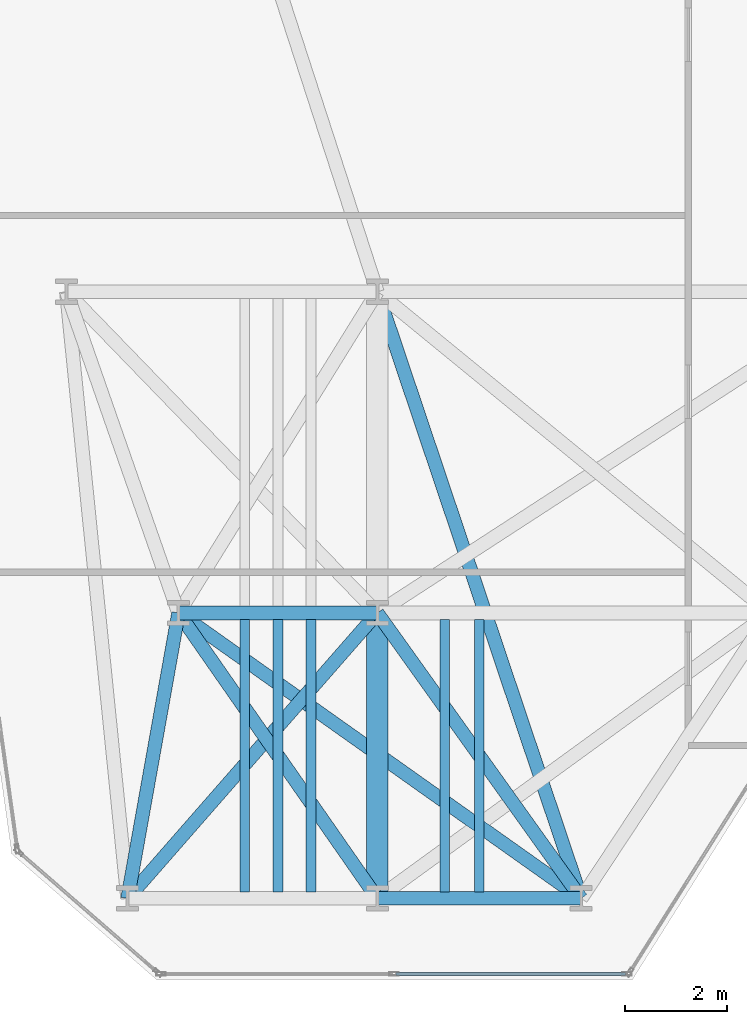
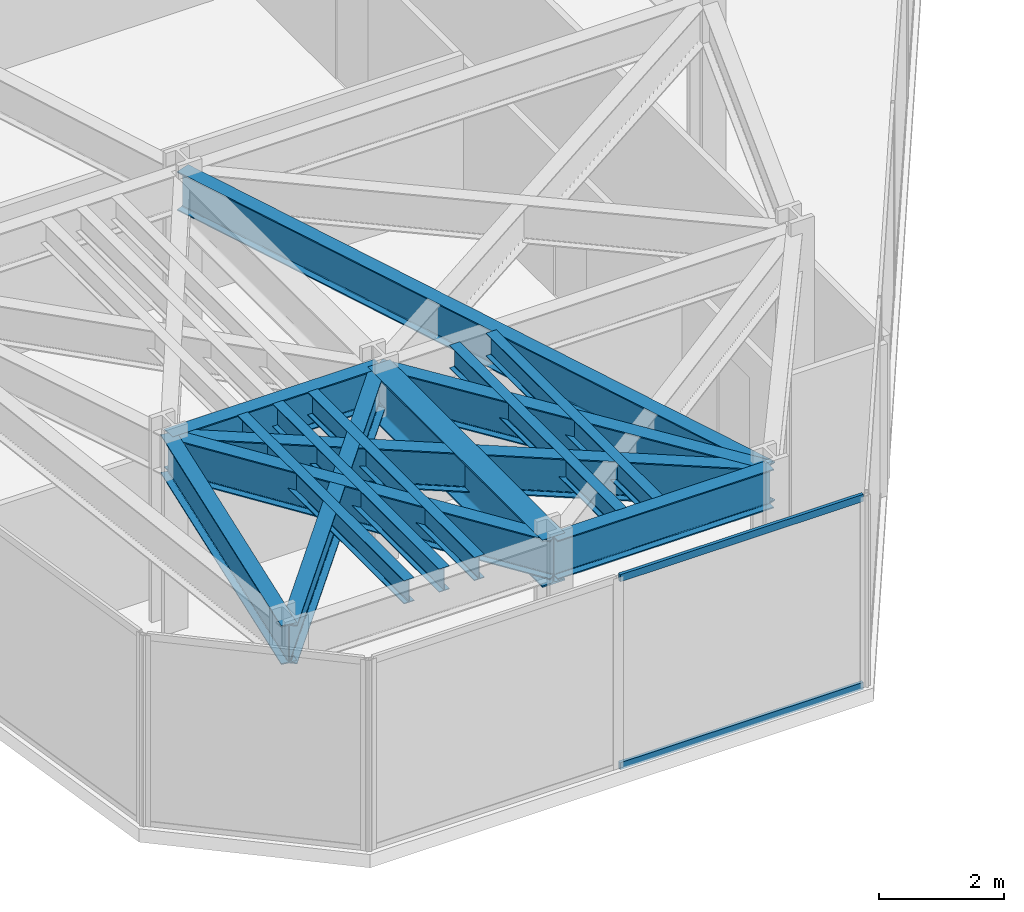
# One storey, part 3 of 25: 14 beams, 2 members, 1 element without a shape of its own.
"""IFC4 building model written with IfcOpenShell, lengths in metres."""

import ifcopenshell
import ifcopenshell.guid

model = None  # the IFC model being written
_history = None  # IfcOwnerHistory: only IFC2X3 demands one
_inside = {}  # id of a spatial element -> (the spatial element, [elements in it])
_under = {}  # id of a project, library or spatial element -> (it, [spatial elements below it])
_declared = {}  # id of a project -> (the project, [libraries it declares])
_typed = {}  # id of a type object -> (the type object, [elements of that type])
_made_of = {}  # id of a material, layer set ... -> (it, [elements and type objects made of it])


def new_model(schema):
    """Start an empty IFC model of exactly this schema.

    Asked for "IFC4X3", IfcOpenShell would pick the latest addendum, in which some entities
    have other attributes; the version numbers below select the first issue.
    IFC2X3 requires an IfcOwnerHistory on every rooted entity: one is made here for all.
    """
    global model, _history
    if schema == "IFC4X3":
        model = ifcopenshell.file(schema_version=(4, 3, 0, 0))
    else:
        model = ifcopenshell.file(schema=schema)
    _inside.clear()
    _under.clear()
    _declared.clear()
    _typed.clear()
    _made_of.clear()
    _history = None
    if model.schema == "IFC2X3":
        org = make("IfcOrganization", Name="unknown")
        user = make(
            "IfcPersonAndOrganization",
            ThePerson=make("IfcPerson", FamilyName="unknown"),
            TheOrganization=org,
        )
        app = make(
            "IfcApplication",
            ApplicationDeveloper=org,
            Version="unknown",
            ApplicationFullName="unknown",
            ApplicationIdentifier="unknown",
        )
        _history = make(
            "IfcOwnerHistory",
            OwningUser=user,
            OwningApplication=app,
            ChangeAction="ADDED",
            CreationDate=0,
        )
    return model


def make(cls, **values):
    """One entity of the class cls with the attributes given. An attribute that is None is left unset."""
    return model.create_entity(
        cls, **{name: value for name, value in values.items() if value is not None}
    )


def rooted(cls, **values):
    """An entity with a GlobalId (a new one), such as an element, a storey or a relation."""
    return make(cls, GlobalId=ifcopenshell.guid.new(), OwnerHistory=_history, **values)


def si_unit(unit_type, name, prefix=None):
    """IfcSIUnit, for example si_unit("LENGTHUNIT", "METRE", prefix="MILLI")."""
    return make("IfcSIUnit", UnitType=unit_type, Prefix=prefix, Name=name)


def assignment(units):
    """IfcUnitAssignment: the units of a project."""
    return None if units is None else make("IfcUnitAssignment", Units=units)


def point(xyz):
    """IfcCartesianPoint."""
    return None if xyz is None else make("IfcCartesianPoint", Coordinates=xyz)


def direction(xyz):
    """IfcDirection."""
    return None if xyz is None else make("IfcDirection", DirectionRatios=xyz)


def frame(location, z_axis=None, x_axis=None):
    """IfcAxis2Placement3D, a coordinate frame: its origin and axes. An axis left out is left unset."""
    return make(
        "IfcAxis2Placement3D",
        Location=point(location),
        Axis=direction(z_axis),
        RefDirection=direction(x_axis),
    )


def frame_2d(location, x_axis=None):
    """IfcAxis2Placement2D, a coordinate frame in the plane: its origin and x axis."""
    return make(
        "IfcAxis2Placement2D", Location=point(location), RefDirection=direction(x_axis)
    )


def origin():
    """The frame at (0, 0, 0) with its axes left unset."""
    return frame((0.0, 0.0, 0.0))


def origin_2d():
    """The frame at (0, 0) in the plane with its x axis left unset."""
    return frame_2d((0.0, 0.0))


def place(relative_to, where):
    """IfcLocalPlacement: puts the frame where relative to a parent placement (None: the world)."""
    return make(
        "IfcLocalPlacement", PlacementRelTo=relative_to, RelativePlacement=where
    )


def context(
    kind, dimensions, precision=None, world=None, true_north=None, identifier=None
):
    """IfcGeometricRepresentationContext, for example the 3D "Model" context."""
    return make(
        "IfcGeometricRepresentationContext",
        ContextIdentifier=identifier,
        ContextType=kind,
        CoordinateSpaceDimension=dimensions,
        Precision=precision,
        WorldCoordinateSystem=world,
        TrueNorth=true_north,
    )


def subcontext(parent, identifier, kind, view, scale=None):
    """IfcGeometricRepresentationSubContext, for example "Body" below "Model"."""
    return make(
        "IfcGeometricRepresentationSubContext",
        ContextIdentifier=identifier,
        ContextType=kind,
        ParentContext=parent,
        TargetScale=scale,
        TargetView=view,
    )


def project(units=None, contexts=None):
    """IfcProject with its units and contexts."""
    return rooted(
        "IfcProject",
        Name="project",
        RepresentationContexts=contexts,
        UnitsInContext=assignment(units),
    )


def spatial(cls, under=None, at=None, **own):
    """A site, building, storey or space (cls), placed at a placement, below another one or the project."""
    s = rooted(cls, ObjectPlacement=at, **own)
    if under is not None:
        _under.setdefault(under.id(), (under, []))[1].append(s)
    return s


def profile(cls, at=None, kind="AREA", **sizes):
    """A parametric profile (cls). Its sizes go by their IFC names, for example OverallWidth=200.0."""
    return make(cls, ProfileType=kind, Position=at, **sizes)


def hollow_rectangle(**sizes):
    """IfcRectangleHollowProfileDef."""
    return profile("IfcRectangleHollowProfileDef", **sizes)


def i_section(**sizes):
    """IfcIShapeProfileDef."""
    return profile("IfcIShapeProfileDef", **sizes)


def extrude(swept, where, along, depth):
    """IfcExtrudedAreaSolid: the profile swept, set in the frame where, extruded along a direction by depth."""
    return make(
        "IfcExtrudedAreaSolid",
        SweptArea=swept,
        Position=where,
        ExtrudedDirection=direction(along),
        Depth=depth,
    )


def shape(context_of_items, identifier, shape_type, items):
    """IfcShapeRepresentation: the items that make up one representation, for example the "Body"."""
    return make(
        "IfcShapeRepresentation",
        ContextOfItems=context_of_items,
        RepresentationIdentifier=identifier,
        RepresentationType=shape_type,
        Items=items,
    )


def material(Name=None, Category=None):
    """IfcMaterial."""
    return make("IfcMaterial", Name=Name, Category=Category)


def layer(
    of_material, thickness, ventilated=None, Name=None, Category=None, Priority=None
):
    """IfcMaterialLayer: one layer of a wall or slab, of a material (None: an air gap)."""
    return make(
        "IfcMaterialLayer",
        Material=of_material,
        LayerThickness=thickness,
        IsVentilated=ventilated,
        Name=Name,
        Category=Category,
        Priority=Priority,
    )


def layer_set(layers, Name=None):
    """IfcMaterialLayerSet."""
    return make("IfcMaterialLayerSet", MaterialLayers=layers, LayerSetName=Name)


def material_profile(
    of_material, cross_section, Name=None, Category=None, Priority=None
):
    """IfcMaterialProfile: a cross section and its material."""
    return make(
        "IfcMaterialProfile",
        Name=Name,
        Material=of_material,
        Profile=cross_section,
        Priority=Priority,
        Category=Category,
    )


def profile_set(profiles, Name=None, composite=None):
    """IfcMaterialProfileSet."""
    return make(
        "IfcMaterialProfileSet",
        Name=Name,
        MaterialProfiles=profiles,
        CompositeProfile=composite,
    )


def made_of(thing, what):
    """Note that an element or type object is made of a material, layer set ...; save() writes the relation."""
    if what is not None:
        _made_of.setdefault(what.id(), (what, []))[1].append(thing)
    return thing


def type_object(cls, material=None, **own):
    """A type object (cls), such as IfcWallType, which elements share."""
    return made_of(rooted(cls, **own), material)


def element(
    cls,
    number,
    at=None,
    inside=None,
    cuts=None,
    type_object=None,
    material=None,
    context=None,
    identifier="Body",
    shape_type=None,
    held_by="IfcProductDefinitionShape",
    body=None,
    shapes=None,
    **own,
):
    """One element of the class cls, such as IfcWall. Its Tag is "e" and its number.

    at: its placement. inside: the storey or other place that contains it. cuts: it is an
    opening in that element (IfcRelVoidsElement). A single representation is given by context,
    identifier, shape_type and body (its items); several are given by shapes. held_by: the class
    of the entity that holds the representations. save() writes the other relations.
    """
    e = rooted(cls, Tag="e%d" % number, ObjectPlacement=at, **own)
    if body is not None:
        shapes = [shape(context, identifier, shape_type, body)]
    if shapes is not None:
        e.Representation = make(held_by, Representations=shapes)
    if inside is not None:
        _inside.setdefault(inside.id(), (inside, []))[1].append(e)
    if cuts is not None:
        rooted(
            "IfcRelVoidsElement", RelatingBuildingElement=cuts, RelatedOpeningElement=e
        )
    if type_object is not None:
        _typed.setdefault(type_object.id(), (type_object, []))[1].append(e)
    return made_of(e, material)


def aggregate(whole, parts):
    """IfcRelAggregates: a whole, such as a stair, and the parts it consists of."""
    return rooted("IfcRelAggregates", RelatingObject=whole, RelatedObjects=parts)


def save(model, path):
    """Write the relations noted so far, then the file.

    IfcRelAggregates (storeys below a building ...), IfcRelContainedInSpatialStructure (elements
    in a storey), IfcRelDefinesByType, IfcRelAssociatesMaterial and IfcRelDeclares: one each for
    every whole, place, type object, material and project.
    """
    for whole, parts in _under.values():
        aggregate(whole, parts)
    for where, things in _inside.values():
        rooted(
            "IfcRelContainedInSpatialStructure",
            RelatedElements=things,
            RelatingStructure=where,
        )
    for kind, things in _typed.values():
        rooted("IfcRelDefinesByType", RelatedObjects=things, RelatingType=kind)
    for what, things in _made_of.values():
        rooted("IfcRelAssociatesMaterial", RelatedObjects=things, RelatingMaterial=what)
    for by, libraries in _declared.values():
        rooted("IfcRelDeclares", RelatingContext=by, RelatedDefinitions=libraries)
    model.write(path)


model = new_model("IFC4")

# Units and contexts
model_context = context("Model", 3, precision=1e-05, world=origin(), true_north=direction((0.0, 1.0)))
body_context = subcontext(model_context, "Body", "Model", "MODEL_VIEW")
ifc_project = project(units=[si_unit("LENGTHUNIT", "METRE"), si_unit("AREAUNIT", "SQUARE_METRE"), si_unit("VOLUMEUNIT", "CUBIC_METRE"), si_unit("PLANEANGLEUNIT", "RADIAN"), si_unit("MASSUNIT", "GRAM", prefix="KILO")], contexts=[model_context])

# Site, building, storey
site_placement = place(None, origin())
site = spatial("IfcSite", under=ifc_project, at=site_placement, CompositionType="ELEMENT")
building_placement = place(site_placement, origin())
building = spatial("IfcBuilding", under=site, at=building_placement, Name="Kravanh Interchange Tower", CompositionType="ELEMENT")
storey_placement = place(building_placement, frame((0.0, 0.0, 65.5)))
storey = spatial("IfcBuildingStorey", under=building, at=storey_placement, Name="L15", CompositionType="ELEMENT", Elevation=65.5)

# Curtain wall, members
ifc_material_1 = material(Name="Anodised Bronze Aluminium", Category="aluminium")
ifc_layer = layer(ifc_material_1, 0.179931640625)
ifc_layer_set = layer_set([ifc_layer], Name="Unitised Curtain Wall System CW-Z1 Lower Office")
curtain_wall_type = type_object("IfcCurtainWallType", Name="Unitised Curtain Wall System CW-Z1 Lower Office", PredefinedType="NOTDEFINED", material=ifc_layer_set)
curtain_wall_placement = place(storey_placement, origin())
curtain_wall = element("IfcCurtainWall", 1, at=curtain_wall_placement, inside=storey, type_object=curtain_wall_type, Name="L15 Unitised Curtain Wall CW-L15-06", PredefinedType="NOTDEFINED")
ifc_material_2 = material(Name="Anodised Bronze Aluminium", Category="aluminium")
ifc_material_profile_1 = material_profile(ifc_material_2, hollow_rectangle(XDim=0.06005859375, YDim=0.139892578125, WallThickness=0.00390625, at=origin_2d()), Name="ALU60X140X4")
ifc_profile_set_1 = profile_set([ifc_material_profile_1], Name="Anodised Bronze Aluminium")
member_type = type_object("IfcMemberType", Name="Curtain Wall Transom ALU60X140X4 Bronze", PredefinedType="USERDEFINED", material=ifc_profile_set_1)
member_1_placement = place(storey_placement, frame((22.36376953125, 1.1201171875, 0.030029296875), z_axis=(-1.0, 0.0, 0.0), x_axis=(0.0, -1.0, 0.0)))
member_1 = element("IfcMember", 2, at=member_1_placement, type_object=member_type, Name="CW-Z1 transom 1.1", ObjectType="TRANSOM", PredefinedType="USERDEFINED", context=body_context, shape_type="SweptSolid", body=[
    extrude(hollow_rectangle(XDim=0.06005859375, YDim=0.139892578125, WallThickness=0.00390625, at=origin_2d()), origin(), (0.0, 0.0, 1.0), 4.50146484375),
])
member_2_placement = place(storey_placement, frame((22.36376953125, 1.1201171875, 3.7099609375), z_axis=(-1.0, 0.0, 0.0), x_axis=(0.0, -1.0, 0.0)))
member_2 = element("IfcMember", 3, at=member_2_placement, type_object=member_type, Name="CW-Z1 transom 1.2", ObjectType="TRANSOM", PredefinedType="USERDEFINED", context=body_context, shape_type="SweptSolid", body=[
    extrude(hollow_rectangle(XDim=0.06005859375, YDim=0.139892578125, WallThickness=0.00390625, at=origin_2d()), origin(), (0.0, 0.0, 1.0), 4.50146484375),
])
aggregate(curtain_wall, [member_1, member_2])

# Beams
ifc_material_3 = material(Name="Structural Steel S355", Category="steel")
ifc_material_profile_2 = material_profile(ifc_material_3, i_section(OverallWidth=0.41796875, OverallDepth=0.927001953125, WebThickness=0.019287109375, FlangeThickness=0.031982421875, FilletRadius=0.028076171875, at=origin_2d()), Name="W36X231")
ifc_profile_set_2 = profile_set([ifc_material_profile_2], Name="Structural Steel S355")
beam_type_1 = type_object("IfcBeamType", Name="Floor Beam W36X231 Structural Steel S355", PredefinedType="BEAM", material=ifc_profile_set_2)
beam_1_placement = place(storey_placement, frame((17.5, 2.60009765625, 3.276611328125), z_axis=(0.0, 1.0, 0.0), x_axis=(-1.0, 0.0, 0.0)))
element("IfcBeam", 4, at=beam_1_placement, inside=storey, type_object=beam_type_1, Name="L15 Primary Floor Girder 103", PredefinedType="BEAM", context=body_context, shape_type="SweptSolid", body=[
    extrude(i_section(OverallWidth=0.41796875, OverallDepth=0.927001953125, WebThickness=0.019287109375, FlangeThickness=0.031982421875, FilletRadius=0.028076171875, at=origin_2d()), origin(), (0.0, 0.0, 1.0), 5.599853515625),
])
ifc_material_4 = material(Name="Structural Steel S355", Category="steel")
ifc_material_profile_3 = material_profile(ifc_material_4, i_section(OverallWidth=0.18994140625, OverallDepth=0.45703125, WebThickness=0.009033203125, FlangeThickness=0.014404296875, FilletRadius=0.01806640625, at=origin_2d()), Name="W18X50")
ifc_profile_set_3 = profile_set([ifc_material_profile_3], Name="Structural Steel S355")
beam_type_2 = type_object("IfcBeamType", Name="Floor Joist W18X50 Structural Steel S355", PredefinedType="JOIST", material=ifc_profile_set_3)
for number, where, z_axis, x_axis, name in (
    (5, (14.89990234375, 2.728515625, 3.511474609375), (0.0, 1.0, 0.0), (-1.0, 0.0, 0.0), "L15 Secondary Floor Joist 1"),
    (6, (15.550048828125, 2.728515625, 3.511474609375), (0.0, 1.0, 0.0), (-1.0, 0.0, 0.0), "L15 Secondary Floor Joist 2"),
    (7, (16.199951171875, 2.728515625, 3.511474609375), (0.0, 1.0, 0.0), (-1.0, 0.0, 0.0), "L15 Secondary Floor Joist 3"),
    (8, (18.824951171875, 2.728515625, 3.511474609375), (0.0, 1.0, 0.0), (-1.0, 0.0, 0.0), "L15 Secondary Floor Joist 4"),
    (9, (19.5, 2.728515625, 3.511474609375), (0.0, 1.0, 0.0), (-1.0, 0.0, 0.0), "L15 Secondary Floor Joist 5"),
):
    element("IfcBeam", number, at=place(storey_placement, frame(where, z_axis=z_axis, x_axis=x_axis)), inside=storey, type_object=beam_type_2, Name=name, PredefinedType="JOIST", context=body_context, shape_type="SweptSolid", body=[
        extrude(i_section(OverallWidth=0.18994140625, OverallDepth=0.45703125, WebThickness=0.009033203125, FlangeThickness=0.014404296875, FilletRadius=0.01806640625, at=origin_2d()), origin(), (0.0, 0.0, 1.0), 5.343017578125),
    ])
ifc_material_5 = material(Name="Structural Steel S355", Category="steel")
ifc_material_profile_4 = material_profile(ifc_material_5, i_section(OverallWidth=0.26708984375, OverallDepth=0.761962890625, WebThickness=0.014404296875, FlangeThickness=0.021484375, FilletRadius=0.02490234375, at=origin_2d()), Name="W30X116")
ifc_profile_set_4 = profile_set([ifc_material_profile_4], Name="Structural Steel S355")
beam_type_3 = type_object("IfcBeamType", Name="Floor Spandrel W30X116 Structural Steel S355", PredefinedType="SPANDREL", material=ifc_profile_set_4)
beam_2_placement = place(storey_placement, frame((12.60009765625, 2.60009765625, 3.35888671875), z_axis=(0.175795094814, 0.984426779725, 0.0), x_axis=(-0.984426779725, 0.175795094814, 0.0)))
element("IfcBeam", 10, at=beam_2_placement, inside=storey, type_object=beam_type_3, Name="L15 Perimeter Spandrel 39", PredefinedType="SPANDREL", context=body_context, shape_type="SweptSolid", body=[
    extrude(i_section(OverallWidth=0.26708984375, OverallDepth=0.761962890625, WebThickness=0.014404296875, FlangeThickness=0.021484375, FilletRadius=0.02490234375, at=origin_2d()), origin(), (0.0, 0.0, 1.0), 5.6884765625),
])
beam_3_placement = place(storey_placement, frame((12.60009765625, 2.60009765625, 3.35888671875), z_axis=(0.658506930733, 0.752574662194, 0.0), x_axis=(-0.752574662194, 0.658506930733, 0.0)))
element("IfcBeam", 11, at=beam_3_placement, inside=storey, type_object=beam_type_3, Name="L15 Perimeter Spandrel 40", PredefinedType="SPANDREL", context=body_context, shape_type="SweptSolid", body=[
    extrude(i_section(OverallWidth=0.26708984375, OverallDepth=0.761962890625, WebThickness=0.014404296875, FlangeThickness=0.021484375, FilletRadius=0.02490234375, at=origin_2d()), origin(), (0.0, 0.0, 1.0), 7.44091796875),
])
beam_4_placement = place(storey_placement, frame((17.5, 2.60009765625, 3.35888671875), z_axis=(1.0, 0.0, 0.0), x_axis=(0.0, 1.0, 0.0)))
element("IfcBeam", 12, at=beam_4_placement, inside=storey, type_object=beam_type_3, Name="L15 Perimeter Spandrel 102", PredefinedType="SPANDREL", context=body_context, shape_type="SweptSolid", body=[
    extrude(i_section(OverallWidth=0.26708984375, OverallDepth=0.761962890625, WebThickness=0.014404296875, FlangeThickness=0.021484375, FilletRadius=0.02490234375, at=origin_2d()), origin(), (0.0, 0.0, 1.0), 4.0),
])
beam_5_placement = place(storey_placement, frame((17.5, 2.60009765625, 3.35888671875), z_axis=(-0.571494183969, 0.820606116045, 0.0), x_axis=(-0.820606116045, -0.571494183969, 0.0)))
element("IfcBeam", 13, at=beam_5_placement, inside=storey, type_object=beam_type_3, Name="L15 Perimeter Spandrel 104", PredefinedType="SPANDREL", context=body_context, shape_type="SweptSolid", body=[
    extrude(i_section(OverallWidth=0.26708984375, OverallDepth=0.761962890625, WebThickness=0.014404296875, FlangeThickness=0.021484375, FilletRadius=0.02490234375, at=origin_2d()), origin(), (0.0, 0.0, 1.0), 6.823974609375),
])
beam_6_placement = place(storey_placement, frame((21.5, 2.60009765625, 3.35888671875), z_axis=(-0.581248261352, 0.813726279946, 0.0), x_axis=(-0.813726279946, -0.581248261352, 0.0)))
element("IfcBeam", 14, at=beam_6_placement, inside=storey, type_object=beam_type_3, Name="L15 Perimeter Spandrel 122", PredefinedType="SPANDREL", context=body_context, shape_type="SweptSolid", body=[
    extrude(i_section(OverallWidth=0.26708984375, OverallDepth=0.761962890625, WebThickness=0.014404296875, FlangeThickness=0.021484375, FilletRadius=0.02490234375, at=origin_2d()), origin(), (0.0, 0.0, 1.0), 6.8818359375),
])
beam_7_placement = place(storey_placement, frame((21.5, 2.60009765625, 3.35888671875), z_axis=(-0.815825239527, 0.578298520274, 0.0), x_axis=(-0.578298520274, -0.815825239527, 0.0)))
element("IfcBeam", 15, at=beam_7_placement, inside=storey, type_object=beam_type_3, Name="L15 Perimeter Spandrel 123", PredefinedType="SPANDREL", context=body_context, shape_type="SweptSolid", body=[
    extrude(i_section(OverallWidth=0.26708984375, OverallDepth=0.761962890625, WebThickness=0.014404296875, FlangeThickness=0.021484375, FilletRadius=0.02490234375, at=origin_2d()), origin(), (0.0, 0.0, 1.0), 9.683349609375),
])
beam_8_placement = place(storey_placement, frame((21.5, 2.60009765625, 3.35888671875), z_axis=(-0.318618734989, 0.947882957814, 0.0), x_axis=(-0.947882957814, -0.318618734989, 0.0)))
element("IfcBeam", 16, at=beam_8_placement, inside=storey, type_object=beam_type_3, Name="L15 Perimeter Spandrel 124", PredefinedType="SPANDREL", context=body_context, shape_type="SweptSolid", body=[
    extrude(i_section(OverallWidth=0.26708984375, OverallDepth=0.761962890625, WebThickness=0.014404296875, FlangeThickness=0.021484375, FilletRadius=0.02490234375, at=origin_2d()), origin(), (0.0, 0.0, 1.0), 12.55419921875),
])
beam_9_placement = place(storey_placement, frame((13.60009765625, 8.199951171875, 3.35888671875), z_axis=(1.0, 0.0, 0.0), x_axis=(0.0, 1.0, 0.0)))
element("IfcBeam", 17, at=beam_9_placement, inside=storey, type_object=beam_type_3, Name="L15 Perimeter Spandrel 133", PredefinedType="SPANDREL", context=body_context, shape_type="SweptSolid", body=[
    extrude(i_section(OverallWidth=0.26708984375, OverallDepth=0.761962890625, WebThickness=0.014404296875, FlangeThickness=0.021484375, FilletRadius=0.02490234375, at=origin_2d()), origin(), (0.0, 0.0, 1.0), 3.89990234375),
])

save(model, "model.ifc")
